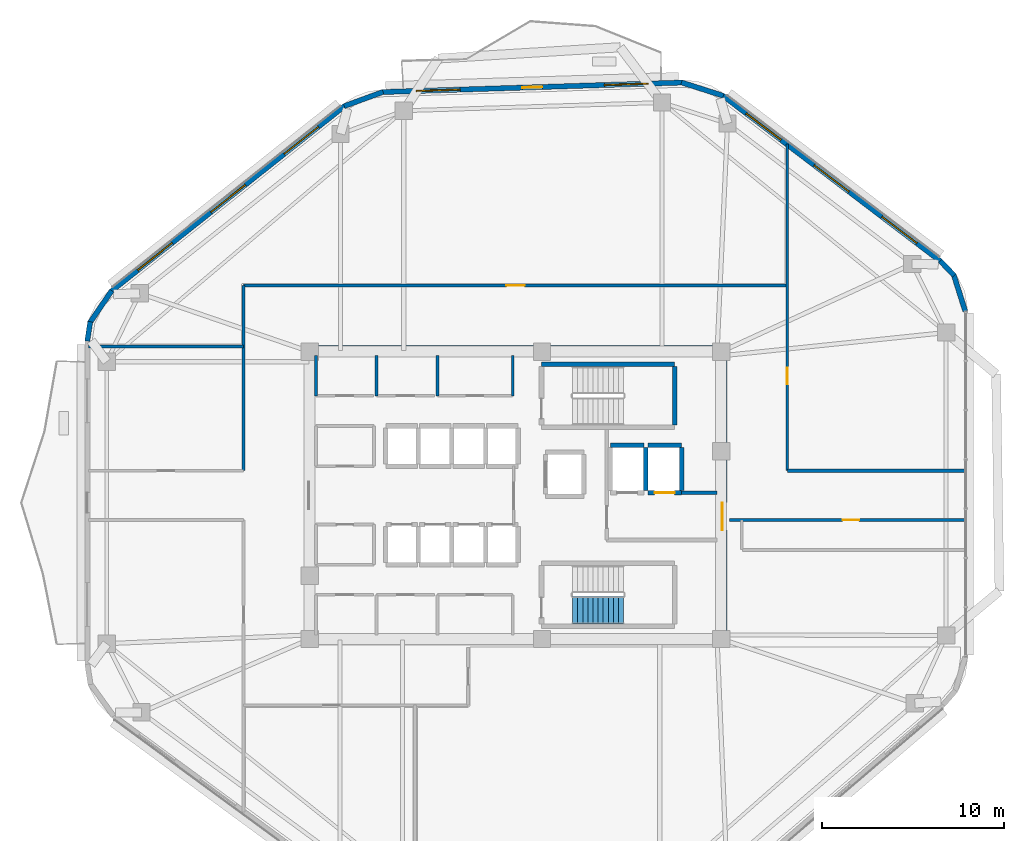
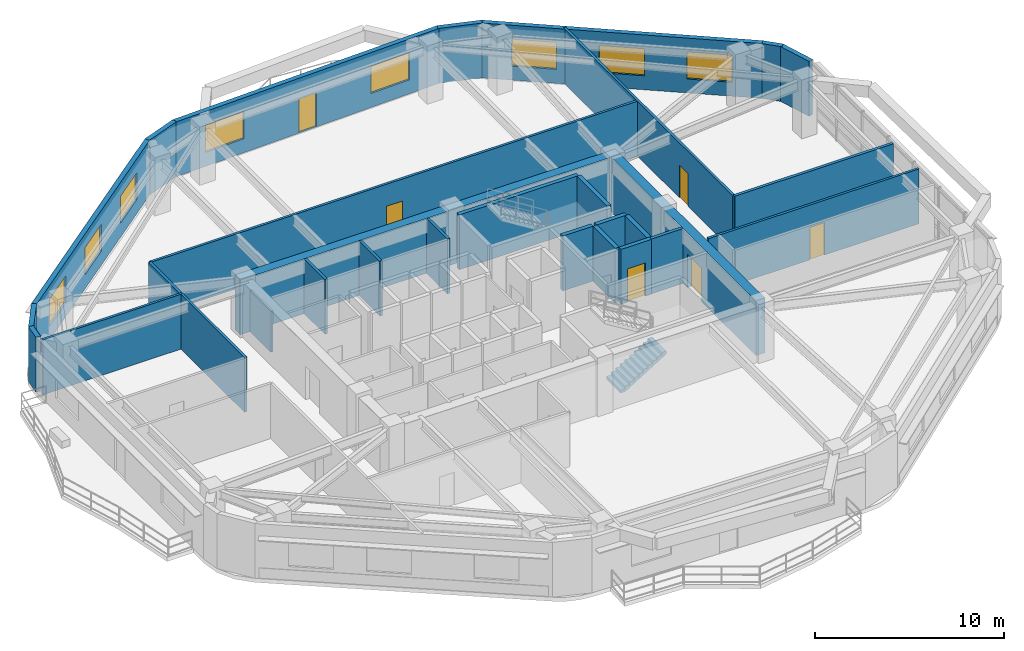
# One storey, part 10 of 14: 29 walls, 8 windows, 6 doors, 1 stair flight, 14 openings, 1 element without a shape of its own.
"""IFC4 building model written with IfcOpenShell, lengths in metres."""

import ifcopenshell
import ifcopenshell.guid

model = None  # the IFC model being written
_history = None  # IfcOwnerHistory: only IFC2X3 demands one
_inside = {}  # id of a spatial element -> (the spatial element, [elements in it])
_under = {}  # id of a project, library or spatial element -> (it, [spatial elements below it])
_declared = {}  # id of a project -> (the project, [libraries it declares])
_typed = {}  # id of a type object -> (the type object, [elements of that type])
_made_of = {}  # id of a material, layer set ... -> (it, [elements and type objects made of it])


def new_model(schema):
    """Start an empty IFC model of exactly this schema.

    Asked for "IFC4X3", IfcOpenShell would pick the latest addendum, in which some entities
    have other attributes; the version numbers below select the first issue.
    IFC2X3 requires an IfcOwnerHistory on every rooted entity: one is made here for all.
    """
    global model, _history
    if schema == "IFC4X3":
        model = ifcopenshell.file(schema_version=(4, 3, 0, 0))
    else:
        model = ifcopenshell.file(schema=schema)
    _inside.clear()
    _under.clear()
    _declared.clear()
    _typed.clear()
    _made_of.clear()
    _history = None
    if model.schema == "IFC2X3":
        org = make("IfcOrganization", Name="unknown")
        user = make(
            "IfcPersonAndOrganization",
            ThePerson=make("IfcPerson", FamilyName="unknown"),
            TheOrganization=org,
        )
        app = make(
            "IfcApplication",
            ApplicationDeveloper=org,
            Version="unknown",
            ApplicationFullName="unknown",
            ApplicationIdentifier="unknown",
        )
        _history = make(
            "IfcOwnerHistory",
            OwningUser=user,
            OwningApplication=app,
            ChangeAction="ADDED",
            CreationDate=0,
        )
    return model


def make(cls, **values):
    """One entity of the class cls with the attributes given. An attribute that is None is left unset."""
    return model.create_entity(
        cls, **{name: value for name, value in values.items() if value is not None}
    )


def rooted(cls, **values):
    """An entity with a GlobalId (a new one), such as an element, a storey or a relation."""
    return make(cls, GlobalId=ifcopenshell.guid.new(), OwnerHistory=_history, **values)


def si_unit(unit_type, name, prefix=None):
    """IfcSIUnit, for example si_unit("LENGTHUNIT", "METRE", prefix="MILLI")."""
    return make("IfcSIUnit", UnitType=unit_type, Prefix=prefix, Name=name)


def assignment(units):
    """IfcUnitAssignment: the units of a project."""
    return None if units is None else make("IfcUnitAssignment", Units=units)


def point(xyz):
    """IfcCartesianPoint."""
    return None if xyz is None else make("IfcCartesianPoint", Coordinates=xyz)


def direction(xyz):
    """IfcDirection."""
    return None if xyz is None else make("IfcDirection", DirectionRatios=xyz)


def frame(location, z_axis=None, x_axis=None):
    """IfcAxis2Placement3D, a coordinate frame: its origin and axes. An axis left out is left unset."""
    return make(
        "IfcAxis2Placement3D",
        Location=point(location),
        Axis=direction(z_axis),
        RefDirection=direction(x_axis),
    )


def frame_2d(location, x_axis=None):
    """IfcAxis2Placement2D, a coordinate frame in the plane: its origin and x axis."""
    return make(
        "IfcAxis2Placement2D", Location=point(location), RefDirection=direction(x_axis)
    )


def origin():
    """The frame at (0, 0, 0) with its axes left unset."""
    return frame((0.0, 0.0, 0.0))


def place(relative_to, where):
    """IfcLocalPlacement: puts the frame where relative to a parent placement (None: the world)."""
    return make(
        "IfcLocalPlacement", PlacementRelTo=relative_to, RelativePlacement=where
    )


def context(
    kind, dimensions, precision=None, world=None, true_north=None, identifier=None
):
    """IfcGeometricRepresentationContext, for example the 3D "Model" context."""
    return make(
        "IfcGeometricRepresentationContext",
        ContextIdentifier=identifier,
        ContextType=kind,
        CoordinateSpaceDimension=dimensions,
        Precision=precision,
        WorldCoordinateSystem=world,
        TrueNorth=true_north,
    )


def subcontext(parent, identifier, kind, view, scale=None):
    """IfcGeometricRepresentationSubContext, for example "Body" below "Model"."""
    return make(
        "IfcGeometricRepresentationSubContext",
        ContextIdentifier=identifier,
        ContextType=kind,
        ParentContext=parent,
        TargetScale=scale,
        TargetView=view,
    )


def project(units=None, contexts=None):
    """IfcProject with its units and contexts."""
    return rooted(
        "IfcProject",
        Name="project",
        RepresentationContexts=contexts,
        UnitsInContext=assignment(units),
    )


def spatial(cls, under=None, at=None, **own):
    """A site, building, storey or space (cls), placed at a placement, below another one or the project."""
    s = rooted(cls, ObjectPlacement=at, **own)
    if under is not None:
        _under.setdefault(under.id(), (under, []))[1].append(s)
    return s


def polyline(points):
    """IfcPolyline through the points."""
    return make("IfcPolyline", Points=[point(p) for p in points])


def profile(cls, at=None, kind="AREA", **sizes):
    """A parametric profile (cls). Its sizes go by their IFC names, for example OverallWidth=200.0."""
    return make(cls, ProfileType=kind, Position=at, **sizes)


def rectangle(**sizes):
    """IfcRectangleProfileDef."""
    return profile("IfcRectangleProfileDef", **sizes)


def outline(outer, holes=None, kind="AREA"):
    """IfcArbitraryClosedProfileDef: a profile drawn as a closed curve; with holes, ...WithVoids."""
    if holes is None:
        return make("IfcArbitraryClosedProfileDef", ProfileType=kind, OuterCurve=outer)
    return make(
        "IfcArbitraryProfileDefWithVoids",
        ProfileType=kind,
        OuterCurve=outer,
        InnerCurves=holes,
    )


def extrude(swept, where, along, depth):
    """IfcExtrudedAreaSolid: the profile swept, set in the frame where, extruded along a direction by depth."""
    return make(
        "IfcExtrudedAreaSolid",
        SweptArea=swept,
        Position=where,
        ExtrudedDirection=direction(along),
        Depth=depth,
    )


def shape(context_of_items, identifier, shape_type, items):
    """IfcShapeRepresentation: the items that make up one representation, for example the "Body"."""
    return make(
        "IfcShapeRepresentation",
        ContextOfItems=context_of_items,
        RepresentationIdentifier=identifier,
        RepresentationType=shape_type,
        Items=items,
    )


def material(Name=None, Category=None):
    """IfcMaterial."""
    return make("IfcMaterial", Name=Name, Category=Category)


def layer(
    of_material, thickness, ventilated=None, Name=None, Category=None, Priority=None
):
    """IfcMaterialLayer: one layer of a wall or slab, of a material (None: an air gap)."""
    return make(
        "IfcMaterialLayer",
        Material=of_material,
        LayerThickness=thickness,
        IsVentilated=ventilated,
        Name=Name,
        Category=Category,
        Priority=Priority,
    )


def layer_set(layers, Name=None):
    """IfcMaterialLayerSet."""
    return make("IfcMaterialLayerSet", MaterialLayers=layers, LayerSetName=Name)


def made_of(thing, what):
    """Note that an element or type object is made of a material, layer set ...; save() writes the relation."""
    if what is not None:
        _made_of.setdefault(what.id(), (what, []))[1].append(thing)
    return thing


def type_object(cls, material=None, **own):
    """A type object (cls), such as IfcWallType, which elements share."""
    return made_of(rooted(cls, **own), material)


def element(
    cls,
    number,
    at=None,
    inside=None,
    cuts=None,
    type_object=None,
    material=None,
    context=None,
    identifier="Body",
    shape_type=None,
    held_by="IfcProductDefinitionShape",
    body=None,
    shapes=None,
    **own,
):
    """One element of the class cls, such as IfcWall. Its Tag is "e" and its number.

    at: its placement. inside: the storey or other place that contains it. cuts: it is an
    opening in that element (IfcRelVoidsElement). A single representation is given by context,
    identifier, shape_type and body (its items); several are given by shapes. held_by: the class
    of the entity that holds the representations. save() writes the other relations.
    """
    e = rooted(cls, Tag="e%d" % number, ObjectPlacement=at, **own)
    if body is not None:
        shapes = [shape(context, identifier, shape_type, body)]
    if shapes is not None:
        e.Representation = make(held_by, Representations=shapes)
    if inside is not None:
        _inside.setdefault(inside.id(), (inside, []))[1].append(e)
    if cuts is not None:
        rooted(
            "IfcRelVoidsElement", RelatingBuildingElement=cuts, RelatedOpeningElement=e
        )
    if type_object is not None:
        _typed.setdefault(type_object.id(), (type_object, []))[1].append(e)
    return made_of(e, material)


def fill(opening, filler):
    """IfcRelFillsElement: the door or window that sits in an opening."""
    return rooted(
        "IfcRelFillsElement",
        RelatingOpeningElement=opening,
        RelatedBuildingElement=filler,
    )


def aggregate(whole, parts):
    """IfcRelAggregates: a whole, such as a stair, and the parts it consists of."""
    return rooted("IfcRelAggregates", RelatingObject=whole, RelatedObjects=parts)


def save(model, path):
    """Write the relations noted so far, then the file.

    IfcRelAggregates (storeys below a building ...), IfcRelContainedInSpatialStructure (elements
    in a storey), IfcRelDefinesByType, IfcRelAssociatesMaterial and IfcRelDeclares: one each for
    every whole, place, type object, material and project.
    """
    for whole, parts in _under.values():
        aggregate(whole, parts)
    for where, things in _inside.values():
        rooted(
            "IfcRelContainedInSpatialStructure",
            RelatedElements=things,
            RelatingStructure=where,
        )
    for kind, things in _typed.values():
        rooted("IfcRelDefinesByType", RelatedObjects=things, RelatingType=kind)
    for what, things in _made_of.values():
        rooted("IfcRelAssociatesMaterial", RelatedObjects=things, RelatingMaterial=what)
    for by, libraries in _declared.values():
        rooted("IfcRelDeclares", RelatingContext=by, RelatedDefinitions=libraries)
    model.write(path)


model = new_model("IFC4")

# Units and contexts
model_context = context("Model", 3, precision=1e-05, world=origin(), true_north=direction((0.0, 1.0)))
body_context = subcontext(model_context, "Body", "Model", "MODEL_VIEW")
ifc_project = project(units=[si_unit("LENGTHUNIT", "METRE"), si_unit("AREAUNIT", "SQUARE_METRE"), si_unit("VOLUMEUNIT", "CUBIC_METRE"), si_unit("PLANEANGLEUNIT", "RADIAN"), si_unit("MASSUNIT", "GRAM", prefix="KILO")], contexts=[model_context])

# Site, building, storey
site_placement = place(None, origin())
site = spatial("IfcSite", under=ifc_project, at=site_placement, CompositionType="ELEMENT")
building_placement = place(site_placement, origin())
building = spatial("IfcBuilding", under=site, at=building_placement, Name="Zulverin Broadcast Headquarters", CompositionType="ELEMENT")
storey_placement = place(building_placement, frame((0.0, 0.0, 178.199951171875)))
storey = spatial("IfcBuildingStorey", under=building, at=storey_placement, Name="L45", CompositionType="ELEMENT", Elevation=178.199951171875)

# Wall
ifc_material_1 = material(Name="Concrete C60/75", Category="concrete")
ifc_layer_1 = layer(ifc_material_1, 0.550048828125, Name="Concrete C60/75", Category="concrete")
ifc_layer_set_1 = layer_set([ifc_layer_1], Name="Concrete C60/75")
wall_type_1 = type_object("IfcWallType", Name="WL-CORE-550", PredefinedType="SHEAR", material=ifc_layer_set_1)
wall_1_placement = place(storey_placement, frame((25.39990234375, 33.125, 0.0), z_axis=(0.0, 0.0, 1.0), x_axis=(1.0, 0.0, 0.0)))
element("IfcWall", 1, at=wall_1_placement, inside=storey, type_object=wall_type_1, Name="L45 Core North Shear Wall", PredefinedType="SHEAR", context=body_context, shape_type="SweptSolid", body=[
    extrude(rectangle(XDim=23.2001953125, YDim=0.550048828125, at=frame_2d((11.60009765625, 0.0))), origin(), (0.0, 0.0, 1.0), 3.5400390625),
])

# Wall, opening, door
wall_2_placement = place(storey_placement, frame((48.324951171875, 17.550048828125, 0.0), z_axis=(0.0, 0.0, 1.0), x_axis=(0.0, 1.0, 0.0)))
wall_2 = element("IfcWall", 2, at=wall_2_placement, inside=storey, type_object=wall_type_1, Name="L45 Core East Shear Wall", PredefinedType="SHEAR", context=body_context, shape_type="SweptSolid", body=[
    extrude(rectangle(XDim=15.300048828125, YDim=0.550048828125, at=frame_2d((7.64990234375, 0.0))), origin(), (0.0, 0.0, 1.0), 3.5400390625),
])
opening_1_placement = place(wall_2_placement, frame((5.75, 0.0, 0.0)))
opening_1 = element("IfcOpeningElement", 3, at=opening_1_placement, cuts=wall_2, Name="Opening D-L45-CE1", PredefinedType="OPENING", context=body_context, shape_type="SweptSolid", body=[
    extrude(rectangle(XDim=1.5, YDim=2.14990234375, at=frame_2d((0.75, 1.074951171875))), frame((0.0, 0.284912109375, 0.0), z_axis=(0.0, -1.0, 0.0), x_axis=(1.0, 0.0, 0.0)), (0.0, 0.0, 1.0), 0.570068359375),
])
ifc_material_2 = material(Name="Fire-rated glazed steel frame", Category="steel")
door_type_1 = type_object("IfcDoorType", Name="DR-COR-1500", OperationType="DOUBLE_DOOR_SINGLE_SWING", PredefinedType="DOOR", material=ifc_material_2)
door_1_placement = place(opening_1_placement, origin())
door_1 = element("IfcDoor", 4, at=door_1_placement, inside=storey, type_object=door_type_1, Name="L45 Firefighting Lobby East Corridor Door", OperationType="DOUBLE_DOOR_SINGLE_SWING", OverallHeight=2.14990234375, OverallWidth=1.5, PredefinedType="DOOR", context=body_context, shape_type="SweptSolid", body=[
    extrude(rectangle(XDim=1.5, YDim=2.14990234375, at=frame_2d((0.75, 1.074951171875))), frame((0.0, 0.02490234375, 0.0), z_axis=(0.0, -1.0, 0.0), x_axis=(1.0, 0.0, 0.0)), (0.0, 0.0, 1.0), 0.050048828125),
])
fill(opening_1, door_1)

# Wall, openings, windows
ifc_material_3 = material(Name="Insulated pale-metal clad concrete spandrel C40/50", Category="concrete")
ifc_layer_2 = layer(ifc_material_3, 0.280029296875, Name="Insulated pale-metal clad concrete spandrel C40/50", Category="concrete")
ifc_layer_set_2 = layer_set([ifc_layer_2], Name="Insulated pale-metal clad concrete spandrel C40/50")
wall_type_2 = type_object("IfcWallType", Name="WL-EXT-280", PredefinedType="STANDARD", material=ifc_layer_set_2)
wall_3_placement = place(storey_placement, frame((60.294921875, 38.025146484375, 0.0), z_axis=(0.0, 0.0, 1.0), x_axis=(-0.795831760834, 0.605517801925, 0.0)))
wall_3 = element("IfcWall", 5, at=wall_3_placement, inside=storey, type_object=wall_type_2, Name="L45 Pale-Metal Clad Spandrel Wall 4", PredefinedType="STANDARD", context=body_context, shape_type="SweptSolid", body=[
    extrude(rectangle(XDim=15.01171875, YDim=0.280029296875, at=frame_2d((7.505859375, 0.0))), origin(), (0.0, 0.0, 1.0), 3.5400390625),
])
opening_2_placement = place(wall_3_placement, frame((1.63525390625, 0.0, 0.89990234375)))
opening_2 = element("IfcOpeningElement", 6, at=opening_2_placement, cuts=wall_3, Name="Opening W-L45-E41", PredefinedType="OPENING", context=body_context, shape_type="SweptSolid", body=[
    extrude(rectangle(XDim=2.39990234375, YDim=1.75, at=frame_2d((1.199951171875, 0.875))), frame((0.0, 0.14990234375, 0.0), z_axis=(0.0, -1.0, 0.0), x_axis=(1.0, 0.0, 0.0)), (0.0, 0.0, 1.0), 0.300048828125),
])
opening_3_placement = place(wall_3_placement, frame((6.305908203125, 0.0, 0.89990234375)))
opening_3 = element("IfcOpeningElement", 7, at=opening_3_placement, cuts=wall_3, Name="Opening W-L45-E42", PredefinedType="OPENING", context=body_context, shape_type="SweptSolid", body=[
    extrude(rectangle(XDim=2.39990234375, YDim=1.75, at=frame_2d((1.199951171875, 0.875))), frame((0.0, 0.14990234375, 0.0), z_axis=(0.0, -1.0, 0.0), x_axis=(1.0, 0.0, 0.0)), (0.0, 0.0, 1.0), 0.300048828125),
])
opening_4_placement = place(wall_3_placement, frame((10.9765625, 0.0, 0.89990234375)))
opening_4 = element("IfcOpeningElement", 8, at=opening_4_placement, cuts=wall_3, Name="Opening W-L45-E43", PredefinedType="OPENING", context=body_context, shape_type="SweptSolid", body=[
    extrude(rectangle(XDim=2.39990234375, YDim=1.75, at=frame_2d((1.199951171875, 0.875))), frame((0.0, 0.14990234375, 0.0), z_axis=(0.0, -1.0, 0.0), x_axis=(1.0, 0.0, 0.0)), (0.0, 0.0, 1.0), 0.300048828125),
])
ifc_material_4 = material(Name="Pale anodized aluminium frame with solar-control low-E double glazing", Category="aluminium")
window_type = type_object("IfcWindowType", Name="WIN-RIB-2400", PartitioningType="SINGLE_PANEL", PredefinedType="WINDOW", material=ifc_material_4)
window_1_placement = place(opening_2_placement, origin())
window_1 = element("IfcWindow", 9, at=window_1_placement, inside=storey, type_object=window_type, Name="L45 Ribbon Glazing Window 4 1", OverallHeight=1.75, OverallWidth=2.39990234375, PartitioningType="SINGLE_PANEL", PredefinedType="WINDOW", context=body_context, shape_type="SweptSolid", body=[
    extrude(rectangle(XDim=2.39990234375, YDim=1.75, at=frame_2d((1.199951171875, 0.875))), frame((0.0, 0.030029296875, 0.0), z_axis=(0.0, -1.0, 0.0), x_axis=(1.0, 0.0, 0.0)), (0.0, 0.0, 1.0), 0.06005859375),
])
fill(opening_2, window_1)
window_2_placement = place(opening_3_placement, origin())
window_2 = element("IfcWindow", 10, at=window_2_placement, inside=storey, type_object=window_type, Name="L45 Ribbon Glazing Window 4 2", OverallHeight=1.75, OverallWidth=2.39990234375, PartitioningType="SINGLE_PANEL", PredefinedType="WINDOW", context=body_context, shape_type="SweptSolid", body=[
    extrude(rectangle(XDim=2.39990234375, YDim=1.75, at=frame_2d((1.199951171875, 0.875))), frame((0.0, 0.030029296875, 0.0), z_axis=(0.0, -1.0, 0.0), x_axis=(1.0, 0.0, 0.0)), (0.0, 0.0, 1.0), 0.06005859375),
])
fill(opening_3, window_2)
window_3_placement = place(opening_4_placement, origin())
window_3 = element("IfcWindow", 11, at=window_3_placement, inside=storey, type_object=window_type, Name="L45 Ribbon Glazing Window 4 3", OverallHeight=1.75, OverallWidth=2.39990234375, PartitioningType="SINGLE_PANEL", PredefinedType="WINDOW", context=body_context, shape_type="SweptSolid", body=[
    extrude(rectangle(XDim=2.39990234375, YDim=1.75, at=frame_2d((1.199951171875, 0.875))), frame((0.0, 0.030029296875, 0.0), z_axis=(0.0, -1.0, 0.0), x_axis=(1.0, 0.0, 0.0)), (0.0, 0.0, 1.0), 0.06005859375),
])
fill(opening_4, window_3)

# Wall, openings, door, windows
wall_4_placement = place(storey_placement, frame((46.143310546875, 47.819580078125, 0.0), z_axis=(0.0, 0.0, 1.0), x_axis=(-0.999497065256, -0.031711457627, 0.0)))
wall_4 = element("IfcWall", 12, at=wall_4_placement, inside=storey, type_object=wall_type_2, Name="L45 Pale-Metal Clad Spandrel Wall 5", PredefinedType="STANDARD", context=body_context, shape_type="SweptSolid", body=[
    extrude(rectangle(XDim=16.452392578125, YDim=0.280029296875, at=frame_2d((8.22607421875, 0.0))), origin(), (0.0, 0.0, 1.0), 3.5400390625),
])
opening_5_placement = place(wall_4_placement, frame((7.67626953125, 0.0, 0.0)))
opening_5 = element("IfcOpeningElement", 13, at=opening_5_placement, cuts=wall_4, Name="Opening D-L45-TR5", PredefinedType="OPENING", context=body_context, shape_type="SweptSolid", body=[
    extrude(rectangle(XDim=1.10009765625, YDim=2.199951171875, at=frame_2d((0.550048828125, 1.10009765625))), frame((0.0, 0.14990234375, 0.0), z_axis=(0.0, -1.0, 0.0), x_axis=(1.0, 0.0, 0.0)), (0.0, 0.0, 1.0), 0.300048828125),
])
opening_6_placement = place(wall_4_placement, frame((1.87548828125, 0.0, 0.89990234375)))
opening_6 = element("IfcOpeningElement", 14, at=opening_6_placement, cuts=wall_4, Name="Opening W-L45-E51", PredefinedType="OPENING", context=body_context, shape_type="SweptSolid", body=[
    extrude(rectangle(XDim=2.39990234375, YDim=1.75, at=frame_2d((1.199951171875, 0.875))), frame((0.0, 0.14990234375, 0.0), z_axis=(0.0, -1.0, 0.0), x_axis=(1.0, 0.0, 0.0)), (0.0, 0.0, 1.0), 0.300048828125),
])
opening_7_placement = place(wall_4_placement, frame((12.177001953125, 0.0, 0.89990234375)))
opening_7 = element("IfcOpeningElement", 15, at=opening_7_placement, cuts=wall_4, Name="Opening W-L45-E52", PredefinedType="OPENING", context=body_context, shape_type="SweptSolid", body=[
    extrude(rectangle(XDim=2.39990234375, YDim=1.75, at=frame_2d((1.199951171875, 0.875))), frame((0.0, 0.14990234375, 0.0), z_axis=(0.0, -1.0, 0.0), x_axis=(1.0, 0.0, 0.0)), (0.0, 0.0, 1.0), 0.300048828125),
])
ifc_material_5 = material(Name="Thermally broken aluminium glazed", Category="aluminium")
door_type_2 = type_object("IfcDoorType", Name="DR-TERR-1100", OperationType="SINGLE_SWING_RIGHT", PredefinedType="DOOR", material=ifc_material_5)
door_2_placement = place(opening_5_placement, origin())
door_2 = element("IfcDoor", 16, at=door_2_placement, inside=storey, type_object=door_type_2, Name="L45 Planted Terrace Glazed Access Door 5", OperationType="SINGLE_SWING_RIGHT", OverallHeight=2.199951171875, OverallWidth=1.10009765625, PredefinedType="DOOR", context=body_context, shape_type="SweptSolid", body=[
    extrude(rectangle(XDim=1.10009765625, YDim=2.199951171875, at=frame_2d((0.550048828125, 1.10009765625))), frame((0.0, 0.02490234375, 0.0), z_axis=(0.0, -1.0, 0.0), x_axis=(1.0, 0.0, 0.0)), (0.0, 0.0, 1.0), 0.050048828125),
])
fill(opening_5, door_2)
window_4_placement = place(opening_6_placement, origin())
window_4 = element("IfcWindow", 17, at=window_4_placement, inside=storey, type_object=window_type, Name="L45 Ribbon Glazing Window 5 1", OverallHeight=1.75, OverallWidth=2.39990234375, PartitioningType="SINGLE_PANEL", PredefinedType="WINDOW", context=body_context, shape_type="SweptSolid", body=[
    extrude(rectangle(XDim=2.39990234375, YDim=1.75, at=frame_2d((1.199951171875, 0.875))), frame((0.0, 0.030029296875, 0.0), z_axis=(0.0, -1.0, 0.0), x_axis=(1.0, 0.0, 0.0)), (0.0, 0.0, 1.0), 0.06005859375),
])
fill(opening_6, window_4)
window_5_placement = place(opening_7_placement, origin())
window_5 = element("IfcWindow", 18, at=window_5_placement, inside=storey, type_object=window_type, Name="L45 Ribbon Glazing Window 5 2", OverallHeight=1.75, OverallWidth=2.39990234375, PartitioningType="SINGLE_PANEL", PredefinedType="WINDOW", context=body_context, shape_type="SweptSolid", body=[
    extrude(rectangle(XDim=2.39990234375, YDim=1.75, at=frame_2d((1.199951171875, 0.875))), frame((0.0, 0.030029296875, 0.0), z_axis=(0.0, -1.0, 0.0), x_axis=(1.0, 0.0, 0.0)), (0.0, 0.0, 1.0), 0.06005859375),
])
fill(opening_7, window_5)

# Wall, openings, windows
wall_5_placement = place(storey_placement, frame((27.657958984375, 46.5498046875, 0.0), z_axis=(0.0, 0.0, 1.0), x_axis=(-0.783266285861, -0.621686356158, 0.0)))
wall_5 = element("IfcWall", 19, at=wall_5_placement, inside=storey, type_object=wall_type_2, Name="L45 Pale-Metal Clad Spandrel Wall 6", PredefinedType="STANDARD", context=body_context, shape_type="SweptSolid", body=[
    extrude(rectangle(XDim=16.35302734375, YDim=0.280029296875, at=frame_2d((8.176513671875, 0.0))), origin(), (0.0, 0.0, 1.0), 3.5400390625),
])
opening_8_placement = place(wall_5_placement, frame((1.85888671875, 0.0, 0.89990234375)))
opening_8 = element("IfcOpeningElement", 20, at=opening_8_placement, cuts=wall_5, Name="Opening W-L45-E61", PredefinedType="OPENING", context=body_context, shape_type="SweptSolid", body=[
    extrude(rectangle(XDim=2.39990234375, YDim=1.75, at=frame_2d((1.199951171875, 0.875))), frame((0.0, 0.14990234375, 0.0), z_axis=(0.0, -1.0, 0.0), x_axis=(1.0, 0.0, 0.0)), (0.0, 0.0, 1.0), 0.300048828125),
])
opening_9_placement = place(wall_5_placement, frame((6.9765625, 0.0, 0.89990234375)))
opening_9 = element("IfcOpeningElement", 21, at=opening_9_placement, cuts=wall_5, Name="Opening W-L45-E62", PredefinedType="OPENING", context=body_context, shape_type="SweptSolid", body=[
    extrude(rectangle(XDim=2.39990234375, YDim=1.75, at=frame_2d((1.199951171875, 0.875))), frame((0.0, 0.14990234375, 0.0), z_axis=(0.0, -1.0, 0.0), x_axis=(1.0, 0.0, 0.0)), (0.0, 0.0, 1.0), 0.300048828125),
])
opening_10_placement = place(wall_5_placement, frame((12.09423828125, 0.0, 0.89990234375)))
opening_10 = element("IfcOpeningElement", 22, at=opening_10_placement, cuts=wall_5, Name="Opening W-L45-E63", PredefinedType="OPENING", context=body_context, shape_type="SweptSolid", body=[
    extrude(rectangle(XDim=2.39990234375, YDim=1.75, at=frame_2d((1.199951171875, 0.875))), frame((0.0, 0.14990234375, 0.0), z_axis=(0.0, -1.0, 0.0), x_axis=(1.0, 0.0, 0.0)), (0.0, 0.0, 1.0), 0.300048828125),
])
window_6_placement = place(opening_8_placement, origin())
window_6 = element("IfcWindow", 23, at=window_6_placement, inside=storey, type_object=window_type, Name="L45 Ribbon Glazing Window 6 1", OverallHeight=1.75, OverallWidth=2.39990234375, PartitioningType="SINGLE_PANEL", PredefinedType="WINDOW", context=body_context, shape_type="SweptSolid", body=[
    extrude(rectangle(XDim=2.39990234375, YDim=1.75, at=frame_2d((1.199951171875, 0.875))), frame((0.0, 0.030029296875, 0.0), z_axis=(0.0, -1.0, 0.0), x_axis=(1.0, 0.0, 0.0)), (0.0, 0.0, 1.0), 0.06005859375),
])
fill(opening_8, window_6)
window_7_placement = place(opening_9_placement, origin())
window_7 = element("IfcWindow", 24, at=window_7_placement, inside=storey, type_object=window_type, Name="L45 Ribbon Glazing Window 6 2", OverallHeight=1.75, OverallWidth=2.39990234375, PartitioningType="SINGLE_PANEL", PredefinedType="WINDOW", context=body_context, shape_type="SweptSolid", body=[
    extrude(rectangle(XDim=2.39990234375, YDim=1.75, at=frame_2d((1.199951171875, 0.875))), frame((0.0, 0.030029296875, 0.0), z_axis=(0.0, -1.0, 0.0), x_axis=(1.0, 0.0, 0.0)), (0.0, 0.0, 1.0), 0.06005859375),
])
fill(opening_9, window_7)
window_8_placement = place(opening_10_placement, origin())
window_8 = element("IfcWindow", 25, at=window_8_placement, inside=storey, type_object=window_type, Name="L45 Ribbon Glazing Window 6 3", OverallHeight=1.75, OverallWidth=2.39990234375, PartitioningType="SINGLE_PANEL", PredefinedType="WINDOW", context=body_context, shape_type="SweptSolid", body=[
    extrude(rectangle(XDim=2.39990234375, YDim=1.75, at=frame_2d((1.199951171875, 0.875))), frame((0.0, 0.030029296875, 0.0), z_axis=(0.0, -1.0, 0.0), x_axis=(1.0, 0.0, 0.0)), (0.0, 0.0, 1.0), 0.06005859375),
])
fill(opening_10, window_8)

# Walls
wall_6_placement = place(storey_placement, frame((61.64697265625, 35.291259765625, 0.0), z_axis=(0.0, 0.0, 1.0), x_axis=(-0.302095077495, 0.953277800095, 0.0)))
element("IfcWall", 26, at=wall_6_placement, inside=storey, type_object=wall_type_2, Name="L45 Wind-Shaped Corner Spandrel Wall 3-1", PredefinedType="STANDARD", context=body_context, shape_type="SweptSolid", body=[
    extrude(rectangle(XDim=2.109375, YDim=0.280029296875, at=frame_2d((1.0546875, 0.0))), origin(), (0.0, 0.0, 1.0), 3.5400390625),
])
wall_7_placement = place(storey_placement, frame((61.04248046875, 37.247314453125, 0.0), z_axis=(0.0, 0.0, 1.0), x_axis=(-0.694004126367, 0.719971022045, 0.0)))
element("IfcWall", 27, at=wall_7_placement, inside=storey, type_object=wall_type_2, Name="L45 Wind-Shaped Corner Spandrel Wall 3-2", PredefinedType="STANDARD", context=body_context, shape_type="SweptSolid", body=[
    extrude(rectangle(XDim=1.10009765625, YDim=0.280029296875, at=frame_2d((0.550048828125, 0.0))), origin(), (0.0, 0.0, 1.0), 3.5400390625),
])
wall_8_placement = place(storey_placement, frame((48.390380859375, 47.093017578125, 0.0), z_axis=(0.0, 0.0, 1.0), x_axis=(-0.952542948918, 0.304404222156, 0.0)))
element("IfcWall", 28, at=wall_8_placement, inside=storey, type_object=wall_type_2, Name="L45 Wind-Shaped Corner Spandrel Wall 4-1", PredefinedType="STANDARD", context=body_context, shape_type="SweptSolid", body=[
    extrude(rectangle(XDim=2.408447265625, YDim=0.280029296875, at=frame_2d((1.2041015625, 0.0))), origin(), (0.0, 0.0, 1.0), 3.5400390625),
])
wall_9_placement = place(storey_placement, frame((29.742919921875, 47.306396484375, 0.0), z_axis=(0.0, 0.0, 1.0), x_axis=(-0.93893328381, -0.344099242302, 0.0)))
element("IfcWall", 29, at=wall_9_placement, inside=storey, type_object=wall_type_2, Name="L45 Wind-Shaped Corner Spandrel Wall 5-1", PredefinedType="STANDARD", context=body_context, shape_type="SweptSolid", body=[
    extrude(rectangle(XDim=2.261962890625, YDim=0.280029296875, at=frame_2d((1.130859375, 0.0))), origin(), (0.0, 0.0, 1.0), 3.5400390625),
])
wall_10_placement = place(storey_placement, frame((14.877685546875, 36.4140625, 0.0), z_axis=(0.0, 0.0, 1.0), x_axis=(-0.564564614133, -0.825388875906, 0.0)))
element("IfcWall", 30, at=wall_10_placement, inside=storey, type_object=wall_type_2, Name="L45 Wind-Shaped Corner Spandrel Wall 6-1", PredefinedType="STANDARD", context=body_context, shape_type="SweptSolid", body=[
    extrude(rectangle(XDim=2.127685546875, YDim=0.280029296875, at=frame_2d((1.06396484375, 0.0))), origin(), (0.0, 0.0, 1.0), 3.5400390625),
])
wall_11_placement = place(storey_placement, frame((13.69921875, 34.716064453125, 0.0), z_axis=(0.0, 0.0, 1.0), x_axis=(-0.149549920187, -0.988754176412, 0.0)))
element("IfcWall", 31, at=wall_11_placement, inside=storey, type_object=wall_type_2, Name="L45 Wind-Shaped Corner Spandrel Wall 6-2", PredefinedType="STANDARD", context=body_context, shape_type="SweptSolid", body=[
    extrude(rectangle(XDim=1.075927734375, YDim=0.280029296875, at=frame_2d((0.5380859375, 0.0))), origin(), (0.0, 0.0, 1.0), 3.5400390625),
])
ifc_material_6 = material(Name="Concrete C40/50", Category="concrete")
ifc_layer_3 = layer(ifc_material_6, 0.199951171875, Name="Concrete C40/50", Category="concrete")
ifc_layer_set_3 = layer_set([ifc_layer_3], Name="Concrete C40/50")
wall_type_3 = type_object("IfcWallType", Name="WL-FFL-200", PredefinedType="SOLIDWALL", material=ifc_layer_set_3)
wall_12_placement = place(storey_placement, frame((46.10009765625, 25.35009765625, 0.0), z_axis=(0.0, 0.0, 1.0), x_axis=(1.0, 0.0, 0.0)))
element("IfcWall", 32, at=wall_12_placement, inside=storey, type_object=wall_type_3, Name="L45 Firefighting Lift Lobby North Wall", PredefinedType="SOLIDWALL", context=body_context, shape_type="SweptSolid", body=[
    extrude(rectangle(XDim=1.949951171875, YDim=0.199951171875, at=frame_2d((0.97509765625, 0.0))), origin(), (0.0, 0.0, 1.0), 3.5400390625),
])
ifc_material_7 = material(Name="Fire-rated gypsum stud partition", Category="gypsum")
ifc_layer_4 = layer(ifc_material_7, 0.14990234375, Name="Fire-rated gypsum stud partition", Category="gypsum")
ifc_layer_set_4 = layer_set([ifc_layer_4], Name="Fire-rated gypsum stud partition")
wall_type_4 = type_object("IfcWallType", Name="WL-PART-150", PredefinedType="PARTITIONING", material=ifc_layer_set_4)
wall_13_placement = place(storey_placement, frame((26.070068359375, 30.64990234375, 0.0), z_axis=(0.0, 0.0, 1.0), x_axis=(0.0, 1.0, 0.0)))
element("IfcWall", 33, at=wall_13_placement, inside=storey, type_object=wall_type_4, Name="L45 Core Male WC West Wall", PredefinedType="PARTITIONING", context=body_context, shape_type="SweptSolid", body=[
    extrude(rectangle(XDim=2.2001953125, YDim=0.14990234375, at=frame_2d((1.10009765625, 0.0))), origin(), (0.0, 0.0, 1.0), 2.64013671875),
])
for number, where, z_axis, x_axis, name in (
    (34, (29.3798828125, 30.64990234375, 0.0), (0.0, 0.0, 1.0), (0.0, 1.0, 0.0), "L45 Core Accessible WC West Wall"),
    (35, (32.72998046875, 30.64990234375, 0.0), (0.0, 0.0, 1.0), (0.0, 1.0, 0.0), "L45 Core Electrical Distribution Riser West Wall"),
    (36, (36.85009765625, 30.64990234375, 0.0), (0.0, 0.0, 1.0), (0.0, 1.0, 0.0), "L45 Core Electrical Distribution Riser East Wall"),
):
    element("IfcWall", number, at=place(storey_placement, frame(where, z_axis=z_axis, x_axis=x_axis)), inside=storey, type_object=wall_type_4, Name=name, PredefinedType="PARTITIONING", context=body_context, shape_type="SweptSolid", body=[
        extrude(rectangle(XDim=2.2001953125, YDim=0.14990234375, at=frame_2d((1.10009765625, 0.0))), origin(), (0.0, 0.0, 1.0), 3.5400390625),
    ])

# Wall, opening, door
wall_14_placement = place(storey_placement, frame((51.89990234375, 26.550048828125, 0.0), z_axis=(0.0, 0.0, 1.0), x_axis=(0.0, 1.0, 0.0)))
wall_14 = element("IfcWall", 37, at=wall_14_placement, inside=storey, type_object=wall_type_4, Name="L45 Gallery Partition Wall CG-01", PredefinedType="PARTITIONING", context=body_context, shape_type="SweptSolid", body=[
    extrude(rectangle(XDim=17.8984375, YDim=0.14990234375, at=frame_2d((8.94921875, 0.0))), origin(), (0.0, 0.0, 1.0), 3.5400390625),
])
opening_11_placement = place(wall_14_placement, frame((4.7451171875, 0.0, 0.0)))
opening_11 = element("IfcOpeningElement", 38, at=opening_11_placement, cuts=wall_14, Name="Opening D-L45-07", PredefinedType="OPENING", context=body_context, shape_type="SweptSolid", body=[
    extrude(rectangle(XDim=0.89990234375, YDim=2.10009765625, at=frame_2d((0.449951171875, 1.050048828125))), frame((0.0, 0.0849609375, 0.0), z_axis=(0.0, -1.0, 0.0), x_axis=(1.0, 0.0, 0.0)), (0.0, 0.0, 1.0), 0.169921875),
])
ifc_material_8 = material(Name="Fire-rated hardwood veneer timber leaf", Category="wood")
door_type_3 = type_object("IfcDoorType", Name="DR-ROOM-900", OperationType="SINGLE_SWING_RIGHT", PredefinedType="DOOR", material=ifc_material_8)
door_3_placement = place(opening_11_placement, origin())
door_3 = element("IfcDoor", 39, at=door_3_placement, inside=storey, type_object=door_type_3, Name="L45 Tea Pantry Door", OperationType="SINGLE_SWING_RIGHT", OverallHeight=2.10009765625, OverallWidth=0.89990234375, PredefinedType="DOOR", context=body_context, shape_type="SweptSolid", body=[
    extrude(rectangle(XDim=0.89990234375, YDim=2.10009765625, at=frame_2d((0.449951171875, 1.050048828125))), frame((0.0, 0.02490234375, 0.0), z_axis=(0.0, -1.0, 0.0), x_axis=(1.0, 0.0, 0.0)), (0.0, 0.0, 1.0), 0.050048828125),
])
fill(opening_11, door_3)

# Wall
wall_15_placement = place(storey_placement, frame((22.10009765625, 26.550048828125, 0.0), z_axis=(0.0, 0.0, 1.0), x_axis=(0.0, 1.0, 0.0)))
element("IfcWall", 40, at=wall_15_placement, inside=storey, type_object=wall_type_4, Name="L45 Gallery Partition Wall CG-06", PredefinedType="PARTITIONING", context=body_context, shape_type="SweptSolid", body=[
    extrude(rectangle(XDim=10.14990234375, YDim=0.14990234375, at=frame_2d((5.074951171875, 0.0))), origin(), (0.0, 0.0, 1.0), 3.5400390625),
])

# Wall, opening, door
wall_16_placement = place(storey_placement, frame((48.739990234375, 23.85009765625, 0.0), z_axis=(0.0, 0.0, 1.0), x_axis=(1.0, 0.0, 0.0)))
wall_16 = element("IfcWall", 41, at=wall_16_placement, inside=storey, type_object=wall_type_4, Name="L45 Gallery Partition Wall CG-10", PredefinedType="PARTITIONING", context=body_context, shape_type="SweptSolid", body=[
    extrude(rectangle(XDim=12.85498046875, YDim=0.14990234375, at=frame_2d((6.427490234375, 0.0))), origin(), (0.0, 0.0, 1.0), 3.5400390625),
])
opening_12_placement = place(wall_16_placement, frame((6.1875, 0.0, 0.0)))
opening_12 = element("IfcOpeningElement", 42, at=opening_12_placement, cuts=wall_16, Name="Opening D-L45-06", PredefinedType="OPENING", context=body_context, shape_type="SweptSolid", body=[
    extrude(rectangle(XDim=0.89990234375, YDim=2.10009765625, at=frame_2d((0.449951171875, 1.050048828125))), frame((0.0, 0.0849609375, 0.0), z_axis=(0.0, -1.0, 0.0), x_axis=(1.0, 0.0, 0.0)), (0.0, 0.0, 1.0), 0.169921875),
])
door_4_placement = place(opening_12_placement, origin())
door_4 = element("IfcDoor", 43, at=door_4_placement, inside=storey, type_object=door_type_3, Name="L45 Staff Dining Area Door", OperationType="SINGLE_SWING_LEFT", OverallHeight=2.10009765625, OverallWidth=0.89990234375, PredefinedType="DOOR", context=body_context, shape_type="SweptSolid", body=[
    extrude(rectangle(XDim=0.89990234375, YDim=2.10009765625, at=frame_2d((0.449951171875, 1.050048828125))), frame((0.0, 0.02490234375, 0.0), z_axis=(0.0, -1.0, 0.0), x_axis=(1.0, 0.0, 0.0)), (0.0, 0.0, 1.0), 0.050048828125),
])
fill(opening_12, door_4)

# Wall
wall_17_placement = place(storey_placement, frame((13.60498046875, 33.35009765625, 0.0), z_axis=(0.0, 0.0, 1.0), x_axis=(1.0, 0.0, 0.0)))
element("IfcWall", 44, at=wall_17_placement, inside=storey, type_object=wall_type_4, Name="L45 Room Partition Wall RP-13", PredefinedType="PARTITIONING", context=body_context, shape_type="SweptSolid", body=[
    extrude(rectangle(XDim=8.4951171875, YDim=0.14990234375, at=frame_2d((4.24755859375, 0.0))), origin(), (0.0, 0.0, 1.0), 3.5400390625),
])

# Wall, opening, door
wall_18_placement = place(storey_placement, frame((22.10009765625, 36.699951171875, 0.0), z_axis=(0.0, 0.0, 1.0), x_axis=(1.0, 0.0, 0.0)))
wall_18 = element("IfcWall", 45, at=wall_18_placement, inside=storey, type_object=wall_type_4, Name="L45 Gallery Partition Wall CG-14", PredefinedType="PARTITIONING", context=body_context, shape_type="SweptSolid", body=[
    extrude(rectangle(XDim=29.7998046875, YDim=0.14990234375, at=frame_2d((14.89990234375, 0.0))), origin(), (0.0, 0.0, 1.0), 3.5400390625),
])
opening_13_placement = place(wall_18_placement, frame((14.39990234375, 0.0, 0.0)))
opening_13 = element("IfcOpeningElement", 46, at=opening_13_placement, cuts=wall_18, Name="Opening D-L45-01", PredefinedType="OPENING", context=body_context, shape_type="SweptSolid", body=[
    extrude(rectangle(XDim=1.0, YDim=2.1201171875, at=frame_2d((0.5, 1.06005859375))), frame((0.0, 0.0849609375, 0.0), z_axis=(0.0, -1.0, 0.0), x_axis=(1.0, 0.0, 0.0)), (0.0, 0.0, 1.0), 0.169921875),
])
ifc_material_9 = material(Name="Hardwood veneer acoustic leaf", Category="wood")
door_type_4 = type_object("IfcDoorType", Name="DR-OFF-1000", OperationType="SINGLE_SWING_LEFT", PredefinedType="DOOR", material=ifc_material_9)
door_5_placement = place(opening_13_placement, origin())
door_5 = element("IfcDoor", 47, at=door_5_placement, inside=storey, type_object=door_type_4, Name="L45 Open Engineering Office Door", OperationType="SINGLE_SWING_RIGHT", OverallHeight=2.1201171875, OverallWidth=1.0, PredefinedType="DOOR", context=body_context, shape_type="SweptSolid", body=[
    extrude(rectangle(XDim=1.0, YDim=2.1201171875, at=frame_2d((0.5, 1.06005859375))), frame((0.0, 0.02490234375, 0.0), z_axis=(0.0, -1.0, 0.0), x_axis=(1.0, 0.0, 0.0)), (0.0, 0.0, 1.0), 0.050048828125),
])
fill(opening_13, door_5)

# Walls
ifc_material_10 = material(Name="Fire-rated acoustic stud wall", Category="gypsum")
ifc_layer_5 = layer(ifc_material_10, 0.175048828125, Name="Fire-rated acoustic stud wall", Category="gypsum")
ifc_layer_set_5 = layer_set([ifc_layer_5], Name="Fire-rated acoustic stud wall")
wall_type_5 = type_object("IfcWallType", Name="WL-PART-175", PredefinedType="PARTITIONING", material=ifc_layer_set_5)
wall_19_placement = place(storey_placement, frame((51.89990234375, 26.550048828125, 0.0), z_axis=(0.0, 0.0, 1.0), x_axis=(1.0, 0.0, 0.0)))
element("IfcWall", 48, at=wall_19_placement, inside=storey, type_object=wall_type_5, Name="L45 Gallery Partition Wall CG-12", PredefinedType="PARTITIONING", context=body_context, shape_type="SweptSolid", body=[
    extrude(rectangle(XDim=9.695068359375, YDim=0.175048828125, at=frame_2d((4.84765625, 0.0))), origin(), (0.0, 0.0, 1.0), 3.5400390625),
])
ifc_material_11 = material(Name="Concrete C50/60", Category="concrete")
ifc_layer_6 = layer(ifc_material_11, 0.25, Name="Concrete C50/60", Category="concrete")
ifc_layer_set_6 = layer_set([ifc_layer_6], Name="Concrete C50/60")
wall_type_6 = type_object("IfcWallType", Name="WL-SHAFT-250", PredefinedType="SHEAR", material=ifc_layer_set_6)
wall_20_placement = place(storey_placement, frame((38.425048828125, 32.375, 0.0), z_axis=(0.0, 0.0, 1.0), x_axis=(1.0, 0.0, 0.0)))
element("IfcWall", 49, at=wall_20_placement, inside=storey, type_object=wall_type_6, Name="L45 ST-1 Enclosure Wall N", PredefinedType="SHEAR", context=body_context, shape_type="SweptSolid", body=[
    extrude(rectangle(XDim=7.300048828125, YDim=0.25, at=frame_2d((3.64990234375, 0.0))), origin(), (0.0, 0.0, 1.0), 3.5400390625),
])
wall_21_placement = place(storey_placement, frame((45.72509765625, 29.050048828125, 0.0), z_axis=(0.0, 0.0, 1.0), x_axis=(0.0, 1.0, 0.0)))
element("IfcWall", 50, at=wall_21_placement, inside=storey, type_object=wall_type_6, Name="L45 ST-1 Enclosure Wall E", PredefinedType="SHEAR", context=body_context, shape_type="SweptSolid", body=[
    extrude(rectangle(XDim=3.199951171875, YDim=0.25, at=frame_2d((1.60009765625, 0.0))), origin(), (0.0, 0.0, 1.0), 3.5400390625),
])
wall_22_placement = place(storey_placement, frame((42.199951171875, 27.949951171875, 0.0), z_axis=(0.0, 0.0, 1.0), x_axis=(1.0, 0.0, 0.0)))
element("IfcWall", 51, at=wall_22_placement, inside=storey, type_object=wall_type_6, Name="L45 Lift FFL-1 Shaft Wall N", PredefinedType="SHEAR", context=body_context, shape_type="SweptSolid", body=[
    extrude(rectangle(XDim=1.85009765625, YDim=0.25, at=frame_2d((0.925048828125, 0.0))), origin(), (0.0, 0.0, 1.0), 3.5400390625),
])
wall_23_placement = place(storey_placement, frame((44.14990234375, 25.469970703125, 0.0), z_axis=(0.0, 0.0, 1.0), x_axis=(0.0, 1.0, 0.0)))
element("IfcWall", 52, at=wall_23_placement, inside=storey, type_object=wall_type_6, Name="L45 Lift FFL-1 Shaft Wall E", PredefinedType="SHEAR", context=body_context, shape_type="SweptSolid", body=[
    extrude(rectangle(XDim=2.360107421875, YDim=0.25, at=frame_2d((1.18017578125, 0.0))), origin(), (0.0, 0.0, 1.0), 3.5400390625),
])

# Wall, opening, door
wall_24_placement = place(storey_placement, frame((44.25, 25.35009765625, 0.0), z_axis=(0.0, 0.0, 1.0), x_axis=(1.0, 0.0, 0.0)))
wall_24 = element("IfcWall", 53, at=wall_24_placement, inside=storey, type_object=wall_type_6, Name="L45 Lift FFL-2 Shaft Wall S", PredefinedType="SHEAR", context=body_context, shape_type="SweptSolid", body=[
    extrude(rectangle(XDim=1.85009765625, YDim=0.25, at=frame_2d((0.925048828125, 0.0))), origin(), (0.0, 0.0, 1.0), 3.5400390625),
])
opening_14_placement = place(wall_24_placement, frame((0.375, 0.0, 0.0)))
opening_14 = element("IfcOpeningElement", 54, at=opening_14_placement, cuts=wall_24, Name="Opening LD-FFL-2-L45", PredefinedType="OPENING", context=body_context, shape_type="SweptSolid", body=[
    extrude(rectangle(XDim=1.10009765625, YDim=2.14990234375, at=frame_2d((0.550048828125, 1.074951171875))), frame((0.0, 0.135009765625, 0.0), z_axis=(0.0, -1.0, 0.0), x_axis=(1.0, 0.0, 0.0)), (0.0, 0.0, 1.0), 0.27001953125),
])
ifc_material_12 = material(Name="Fire-rated stainless landing door", Category="steel")
door_type_5 = type_object("IfcDoorType", Name="LD-FFL-1100", OperationType="DOUBLE_DOOR_SLIDING", PredefinedType="DOOR", material=ifc_material_12)
door_6_placement = place(opening_14_placement, origin())
door_6 = element("IfcDoor", 55, at=door_6_placement, inside=storey, type_object=door_type_5, Name="L45 Lift FFL-2 Sliding Landing Door", OperationType="DOUBLE_DOOR_SLIDING", OverallHeight=2.14990234375, OverallWidth=1.10009765625, PredefinedType="DOOR", context=body_context, shape_type="SweptSolid", body=[
    extrude(rectangle(XDim=1.10009765625, YDim=2.14990234375, at=frame_2d((0.550048828125, 1.074951171875))), frame((0.0, 0.02490234375, 0.0), z_axis=(0.0, -1.0, 0.0), x_axis=(1.0, 0.0, 0.0)), (0.0, 0.0, 1.0), 0.050048828125),
])
fill(opening_14, door_6)

# Walls
wall_25_placement = place(storey_placement, frame((44.25, 27.949951171875, 0.0), z_axis=(0.0, 0.0, 1.0), x_axis=(1.0, 0.0, 0.0)))
element("IfcWall", 56, at=wall_25_placement, inside=storey, type_object=wall_type_6, Name="L45 Lift FFL-2 Shaft Wall N", PredefinedType="SHEAR", context=body_context, shape_type="SweptSolid", body=[
    extrude(rectangle(XDim=1.85009765625, YDim=0.25, at=frame_2d((0.925048828125, 0.0))), origin(), (0.0, 0.0, 1.0), 3.5400390625),
])
wall_26_placement = place(storey_placement, frame((46.10009765625, 25.469970703125, 0.0), z_axis=(0.0, 0.0, 1.0), x_axis=(0.0, 1.0, 0.0)))
element("IfcWall", 57, at=wall_26_placement, inside=storey, type_object=wall_type_6, Name="L45 Lift FFL-2 Shaft Wall E", PredefinedType="SHEAR", context=body_context, shape_type="SweptSolid", body=[
    extrude(rectangle(XDim=2.360107421875, YDim=0.25, at=frame_2d((1.18017578125, 0.0))), origin(), (0.0, 0.0, 1.0), 3.5400390625),
])

# Stair, stair flight
stair_type = type_object("IfcStairType", Name="ST-CORE-1500", PredefinedType="HALF_TURN_STAIR", material=ifc_material_6)
stair_placement = place(storey_placement, origin())
stair = element("IfcStair", 58, at=stair_placement, inside=storey, type_object=stair_type, Name="L45 Core Exit Stair ST-2", PredefinedType="HALF_TURN_STAIR")
stair_flight_type = type_object("IfcStairFlightType", Name="SF-CORE-1500", PredefinedType="STRAIGHT", material=ifc_material_6)
stair_flight_placement = place(storey_placement, frame((40.1298828125, 18.89990234375, 0.0), z_axis=(0.0, 0.0, 1.0), x_axis=(1.0, 0.0, 0.0)))
stair_flight = element("IfcStairFlight", 59, at=stair_flight_placement, type_object=stair_flight_type, Name="ST-2 flight 1", NumberOfRisers=11, NumberOfTreads=10, PredefinedType="STRAIGHT", RiserHeight=0.172727273, TreadLength=0.28, context=body_context, shape_type="SweptSolid", body=[
    extrude(outline(polyline([(0.0, 0.0), (0.0, 0.172607421875), (0.280029296875, 0.172607421875), (0.280029296875, 0.345458984375), (0.56005859375, 0.345458984375), (0.56005859375, 0.51806640625), (0.840087890625, 0.51806640625), (0.840087890625, 0.69091796875), (1.1201171875, 0.69091796875), (1.1201171875, 0.863525390625), (1.39990234375, 0.863525390625), (1.39990234375, 1.036376953125), (1.679931640625, 1.036376953125), (1.679931640625, 1.208984375), (1.9599609375, 1.208984375), (1.9599609375, 1.3818359375), (2.239990234375, 1.3818359375), (2.239990234375, 1.554443359375), (2.52001953125, 1.554443359375), (2.52001953125, 1.727294921875), (2.800048828125, 1.727294921875), (2.800048828125, 1.89990234375), (2.800048828125, 1.551025390625), (0.285400390625, 0.0), (0.0, 0.0)])), frame((0.0, 0.75, 0.0), z_axis=(0.0, -1.0, 0.0), x_axis=(1.0, 0.0, 0.0)), (0.0, 0.0, 1.0), 1.5),
])
aggregate(stair, [stair_flight])

save(model, "model.ifc")
